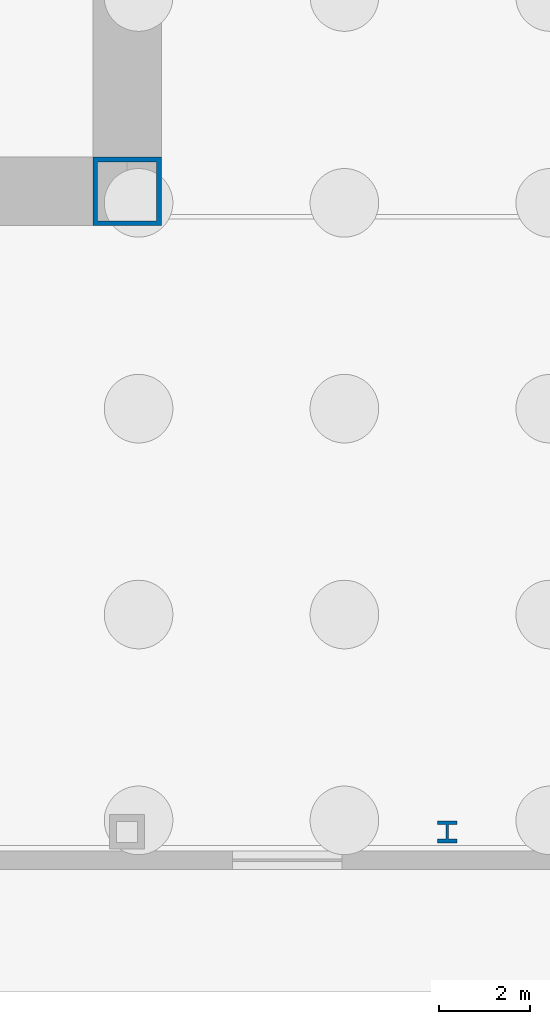
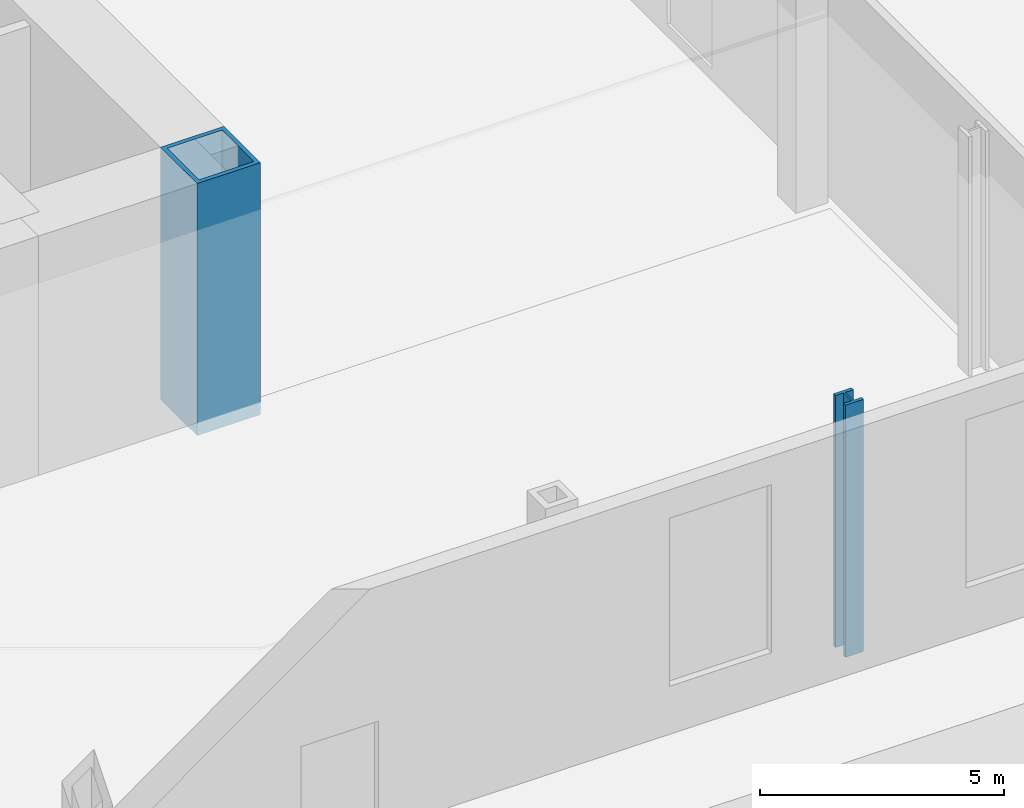
# One storey, part 4 of 16: 2 columns.
"""IFC4 building model written with IfcOpenShell, lengths in metres."""

import ifcopenshell
import ifcopenshell.guid

model = None  # the IFC model being written
_history = None  # IfcOwnerHistory: only IFC2X3 demands one
_inside = {}  # id of a spatial element -> (the spatial element, [elements in it])
_under = {}  # id of a project, library or spatial element -> (it, [spatial elements below it])
_declared = {}  # id of a project -> (the project, [libraries it declares])
_typed = {}  # id of a type object -> (the type object, [elements of that type])
_made_of = {}  # id of a material, layer set ... -> (it, [elements and type objects made of it])


def new_model(schema):
    """Start an empty IFC model of exactly this schema.

    Asked for "IFC4X3", IfcOpenShell would pick the latest addendum, in which some entities
    have other attributes; the version numbers below select the first issue.
    IFC2X3 requires an IfcOwnerHistory on every rooted entity: one is made here for all.
    """
    global model, _history
    if schema == "IFC4X3":
        model = ifcopenshell.file(schema_version=(4, 3, 0, 0))
    else:
        model = ifcopenshell.file(schema=schema)
    _inside.clear()
    _under.clear()
    _declared.clear()
    _typed.clear()
    _made_of.clear()
    _history = None
    if model.schema == "IFC2X3":
        org = make("IfcOrganization", Name="unknown")
        user = make(
            "IfcPersonAndOrganization",
            ThePerson=make("IfcPerson", FamilyName="unknown"),
            TheOrganization=org,
        )
        app = make(
            "IfcApplication",
            ApplicationDeveloper=org,
            Version="unknown",
            ApplicationFullName="unknown",
            ApplicationIdentifier="unknown",
        )
        _history = make(
            "IfcOwnerHistory",
            OwningUser=user,
            OwningApplication=app,
            ChangeAction="ADDED",
            CreationDate=0,
        )
    return model


def make(cls, **values):
    """One entity of the class cls with the attributes given. An attribute that is None is left unset."""
    return model.create_entity(
        cls, **{name: value for name, value in values.items() if value is not None}
    )


def rooted(cls, **values):
    """An entity with a GlobalId (a new one), such as an element, a storey or a relation."""
    return make(cls, GlobalId=ifcopenshell.guid.new(), OwnerHistory=_history, **values)


def si_unit(unit_type, name, prefix=None):
    """IfcSIUnit, for example si_unit("LENGTHUNIT", "METRE", prefix="MILLI")."""
    return make("IfcSIUnit", UnitType=unit_type, Prefix=prefix, Name=name)


def assignment(units):
    """IfcUnitAssignment: the units of a project."""
    return None if units is None else make("IfcUnitAssignment", Units=units)


def point(xyz):
    """IfcCartesianPoint."""
    return None if xyz is None else make("IfcCartesianPoint", Coordinates=xyz)


def direction(xyz):
    """IfcDirection."""
    return None if xyz is None else make("IfcDirection", DirectionRatios=xyz)


def frame(location, z_axis=None, x_axis=None):
    """IfcAxis2Placement3D, a coordinate frame: its origin and axes. An axis left out is left unset."""
    return make(
        "IfcAxis2Placement3D",
        Location=point(location),
        Axis=direction(z_axis),
        RefDirection=direction(x_axis),
    )


def frame_2d(location, x_axis=None):
    """IfcAxis2Placement2D, a coordinate frame in the plane: its origin and x axis."""
    return make(
        "IfcAxis2Placement2D", Location=point(location), RefDirection=direction(x_axis)
    )


def origin():
    """The frame at (0, 0, 0) with its axes left unset."""
    return frame((0.0, 0.0, 0.0))


def origin_2d():
    """The frame at (0, 0) in the plane with its x axis left unset."""
    return frame_2d((0.0, 0.0))


def place(relative_to, where):
    """IfcLocalPlacement: puts the frame where relative to a parent placement (None: the world)."""
    return make(
        "IfcLocalPlacement", PlacementRelTo=relative_to, RelativePlacement=where
    )


def context(
    kind, dimensions, precision=None, world=None, true_north=None, identifier=None
):
    """IfcGeometricRepresentationContext, for example the 3D "Model" context."""
    return make(
        "IfcGeometricRepresentationContext",
        ContextIdentifier=identifier,
        ContextType=kind,
        CoordinateSpaceDimension=dimensions,
        Precision=precision,
        WorldCoordinateSystem=world,
        TrueNorth=true_north,
    )


def subcontext(parent, identifier, kind, view, scale=None):
    """IfcGeometricRepresentationSubContext, for example "Body" below "Model"."""
    return make(
        "IfcGeometricRepresentationSubContext",
        ContextIdentifier=identifier,
        ContextType=kind,
        ParentContext=parent,
        TargetScale=scale,
        TargetView=view,
    )


def project(units=None, contexts=None):
    """IfcProject with its units and contexts."""
    return rooted(
        "IfcProject",
        Name="project",
        RepresentationContexts=contexts,
        UnitsInContext=assignment(units),
    )


def spatial(cls, under=None, at=None, **own):
    """A site, building, storey or space (cls), placed at a placement, below another one or the project."""
    s = rooted(cls, ObjectPlacement=at, **own)
    if under is not None:
        _under.setdefault(under.id(), (under, []))[1].append(s)
    return s


def profile(cls, at=None, kind="AREA", **sizes):
    """A parametric profile (cls). Its sizes go by their IFC names, for example OverallWidth=200.0."""
    return make(cls, ProfileType=kind, Position=at, **sizes)


def hollow_rectangle(**sizes):
    """IfcRectangleHollowProfileDef."""
    return profile("IfcRectangleHollowProfileDef", **sizes)


def i_section(**sizes):
    """IfcIShapeProfileDef."""
    return profile("IfcIShapeProfileDef", **sizes)


def extrude(swept, where, along, depth):
    """IfcExtrudedAreaSolid: the profile swept, set in the frame where, extruded along a direction by depth."""
    return make(
        "IfcExtrudedAreaSolid",
        SweptArea=swept,
        Position=where,
        ExtrudedDirection=direction(along),
        Depth=depth,
    )


def shape(context_of_items, identifier, shape_type, items):
    """IfcShapeRepresentation: the items that make up one representation, for example the "Body"."""
    return make(
        "IfcShapeRepresentation",
        ContextOfItems=context_of_items,
        RepresentationIdentifier=identifier,
        RepresentationType=shape_type,
        Items=items,
    )


def material(Name=None, Category=None):
    """IfcMaterial."""
    return make("IfcMaterial", Name=Name, Category=Category)


def material_profile(
    of_material, cross_section, Name=None, Category=None, Priority=None
):
    """IfcMaterialProfile: a cross section and its material."""
    return make(
        "IfcMaterialProfile",
        Name=Name,
        Material=of_material,
        Profile=cross_section,
        Priority=Priority,
        Category=Category,
    )


def profile_set(profiles, Name=None, composite=None):
    """IfcMaterialProfileSet."""
    return make(
        "IfcMaterialProfileSet",
        Name=Name,
        MaterialProfiles=profiles,
        CompositeProfile=composite,
    )


def made_of(thing, what):
    """Note that an element or type object is made of a material, layer set ...; save() writes the relation."""
    if what is not None:
        _made_of.setdefault(what.id(), (what, []))[1].append(thing)
    return thing


def type_object(cls, material=None, **own):
    """A type object (cls), such as IfcWallType, which elements share."""
    return made_of(rooted(cls, **own), material)


def element(
    cls,
    number,
    at=None,
    inside=None,
    cuts=None,
    type_object=None,
    material=None,
    context=None,
    identifier="Body",
    shape_type=None,
    held_by="IfcProductDefinitionShape",
    body=None,
    shapes=None,
    **own,
):
    """One element of the class cls, such as IfcWall. Its Tag is "e" and its number.

    at: its placement. inside: the storey or other place that contains it. cuts: it is an
    opening in that element (IfcRelVoidsElement). A single representation is given by context,
    identifier, shape_type and body (its items); several are given by shapes. held_by: the class
    of the entity that holds the representations. save() writes the other relations.
    """
    e = rooted(cls, Tag="e%d" % number, ObjectPlacement=at, **own)
    if body is not None:
        shapes = [shape(context, identifier, shape_type, body)]
    if shapes is not None:
        e.Representation = make(held_by, Representations=shapes)
    if inside is not None:
        _inside.setdefault(inside.id(), (inside, []))[1].append(e)
    if cuts is not None:
        rooted(
            "IfcRelVoidsElement", RelatingBuildingElement=cuts, RelatedOpeningElement=e
        )
    if type_object is not None:
        _typed.setdefault(type_object.id(), (type_object, []))[1].append(e)
    return made_of(e, material)


def aggregate(whole, parts):
    """IfcRelAggregates: a whole, such as a stair, and the parts it consists of."""
    return rooted("IfcRelAggregates", RelatingObject=whole, RelatedObjects=parts)


def save(model, path):
    """Write the relations noted so far, then the file.

    IfcRelAggregates (storeys below a building ...), IfcRelContainedInSpatialStructure (elements
    in a storey), IfcRelDefinesByType, IfcRelAssociatesMaterial and IfcRelDeclares: one each for
    every whole, place, type object, material and project.
    """
    for whole, parts in _under.values():
        aggregate(whole, parts)
    for where, things in _inside.values():
        rooted(
            "IfcRelContainedInSpatialStructure",
            RelatedElements=things,
            RelatingStructure=where,
        )
    for kind, things in _typed.values():
        rooted("IfcRelDefinesByType", RelatedObjects=things, RelatingType=kind)
    for what, things in _made_of.values():
        rooted("IfcRelAssociatesMaterial", RelatedObjects=things, RelatingMaterial=what)
    for by, libraries in _declared.values():
        rooted("IfcRelDeclares", RelatingContext=by, RelatedDefinitions=libraries)
    model.write(path)


model = new_model("IFC4")

# Units and contexts
model_context = context("Model", 3, precision=1e-05, world=origin(), true_north=direction((0.0, 1.0)))
body_context = subcontext(model_context, "Body", "Model", "MODEL_VIEW")
ifc_project = project(units=[si_unit("LENGTHUNIT", "METRE"), si_unit("AREAUNIT", "SQUARE_METRE"), si_unit("VOLUMEUNIT", "CUBIC_METRE"), si_unit("PLANEANGLEUNIT", "RADIAN"), si_unit("MASSUNIT", "GRAM", prefix="KILO")], contexts=[model_context])

# Site, building, storey
site_placement = place(None, origin())
site = spatial("IfcSite", under=ifc_project, at=site_placement, CompositionType="ELEMENT")
building_placement = place(site_placement, origin())
building = spatial("IfcBuilding", under=site, at=building_placement, Name="Trevanion Tower", CompositionType="ELEMENT")
storey_placement = place(building_placement, origin())
storey = spatial("IfcBuildingStorey", under=building, at=storey_placement, Name="L00", CompositionType="ELEMENT", Elevation=0.0)

# Columns
ifc_material_1 = material(Name="Steel ASTM A913 Grade 65", Category="steel")
ifc_material_profile_1 = material_profile(ifc_material_1, i_section(OverallWidth=0.4267578125, OverallDepth=0.482666015625, WebThickness=0.05126953125, FlangeThickness=0.08154296875, at=origin_2d()), Name="W14X455")
ifc_profile_set_1 = profile_set([ifc_material_profile_1], Name="Steel ASTM A913 Grade 65")
column_type_1 = type_object("IfcColumnType", Name="C2 W14X455", PredefinedType="COLUMN", material=ifc_profile_set_1)
column_1_placement = place(storey_placement, frame((18.0, -25.0, -0.300048828125), z_axis=(0.0, 0.0, 1.0), x_axis=(1.0, 0.0, 0.0)))
element("IfcColumn", 1, at=column_1_placement, inside=storey, type_object=column_type_1, Name="C2 14/A L00", PredefinedType="COLUMN", context=body_context, shape_type="SweptSolid", body=[
    extrude(i_section(OverallWidth=0.4267578125, OverallDepth=0.482666015625, WebThickness=0.05126953125, FlangeThickness=0.08154296875, at=origin_2d()), origin(), (0.0, 0.0, 1.0), 6.300048828125),
])
ifc_material_2 = material(Name="Steel ASTM A572 Grade 50", Category="steel")
ifc_material_profile_2 = material_profile(ifc_material_2, hollow_rectangle(XDim=1.49853515625, YDim=1.49853515625, WallThickness=0.1015625, at=origin_2d()), Name="BOX59X59X4")
ifc_profile_set_2 = profile_set([ifc_material_profile_2], Name="Steel ASTM A572 Grade 50")
column_type_2 = type_object("IfcColumnType", Name="CB1 BOX59X59X4", PredefinedType="COLUMN", material=ifc_profile_set_2)
column_2_placement = place(storey_placement, frame((11.0, -11.0, -0.300048828125), z_axis=(0.0, 0.0, 1.0), x_axis=(1.0, 0.0, 0.0)))
element("IfcColumn", 2, at=column_2_placement, inside=storey, type_object=column_type_2, Name="CB1 SE L00", PredefinedType="COLUMN", context=body_context, shape_type="SweptSolid", body=[
    extrude(hollow_rectangle(XDim=1.49853515625, YDim=1.49853515625, WallThickness=0.1015625, at=origin_2d()), origin(), (0.0, 0.0, 1.0), 6.300048828125),
])

save(model, "model.ifc")
